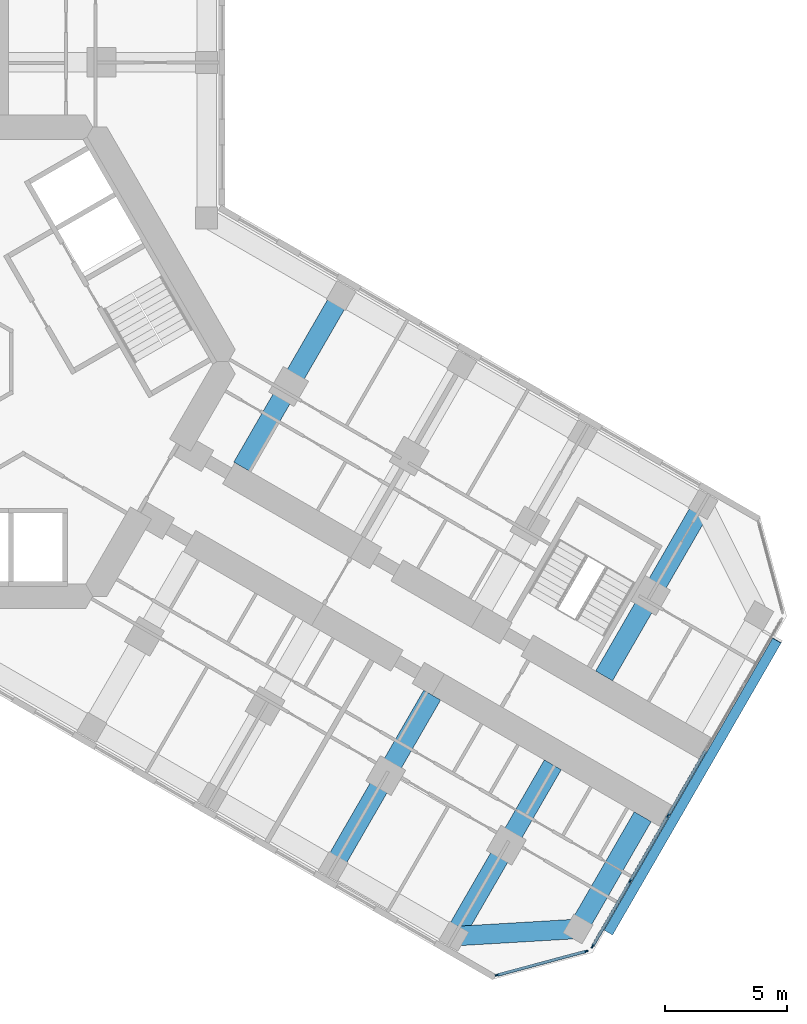
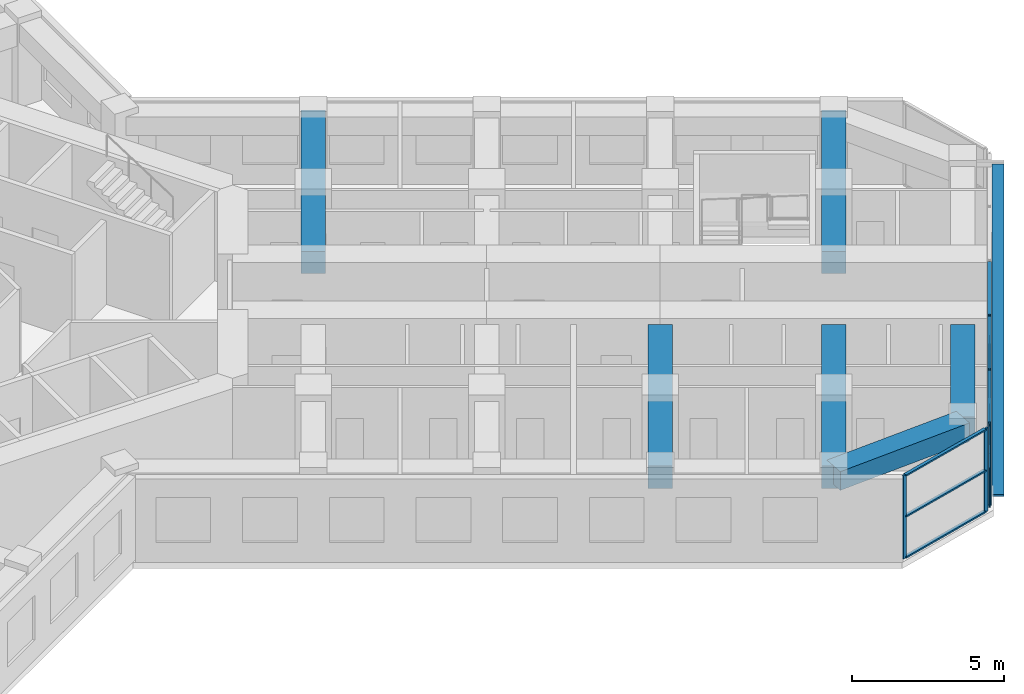
# One storey, part 5 of 21: 15 members, 6 beams, 2 elements without a shape of their own.
"""IFC4 building model written with IfcOpenShell, lengths in metres."""

from ifc_helpers import new_model, si_unit, direction, frame, origin, origin_2d, place, context, subcontext, project, spatial, rectangle, extrude, material, material_profile, profile_set, type_object, element, aggregate, save


model = new_model("IFC4")

# Units and contexts
model_context = context("Model", 3, precision=1e-05, world=origin(), true_north=direction((0.0, 1.0)))
body_context = subcontext(model_context, "Body", "Model", "MODEL_VIEW")
ifc_project = project(units=[si_unit("LENGTHUNIT", "METRE"), si_unit("AREAUNIT", "SQUARE_METRE"), si_unit("VOLUMEUNIT", "CUBIC_METRE"), si_unit("PLANEANGLEUNIT", "RADIAN"), si_unit("MASSUNIT", "GRAM", prefix="KILO")], contexts=[model_context])

# Site, building, storey
site_placement = place(None, origin())
site = spatial("IfcSite", under=ifc_project, at=site_placement, CompositionType="ELEMENT")
building_placement = place(site_placement, origin())
building = spatial("IfcBuilding", under=site, at=building_placement, Name="Kosmar Iwan School Tower", CompositionType="ELEMENT")
storey_placement = place(building_placement, frame((0.0, 0.0, 98.800048828125)))
storey = spatial("IfcBuildingStorey", under=building, at=storey_placement, Name="L24", CompositionType="ELEMENT", Elevation=98.800048828125)

# Member
ifc_material_1 = material(Name="Black anodised aluminium", Category="aluminium")
ifc_material_profile_1 = material_profile(ifc_material_1, rectangle(XDim=0.10009765625, YDim=0.39990234375, at=origin_2d()), Name="FIN 100x400")
ifc_profile_set_1 = profile_set([ifc_material_profile_1], Name="Black anodised aluminium")
member_type_1 = type_object("IfcMemberType", Name="Diagonal fin 100x400", PredefinedType="USERDEFINED", material=ifc_profile_set_1)
member_1_placement = place(storey_placement, frame((26.645263671875, -23.34912109375, -0.150146484375), z_axis=(0.483793446988, 0.837970316603, 0.25248692866), x_axis=(-0.126241714543, -0.218661104574, 0.96760030532)))
element("IfcMember", 1, at=member_1_placement, inside=storey, type_object=member_type_1, Name="Diagonal fin L24-F03", ObjectType="FIN", PredefinedType="USERDEFINED", context=body_context, shape_type="SweptSolid", body=[
    extrude(rectangle(XDim=0.10009765625, YDim=0.39990234375, at=origin_2d()), origin(), (0.0, 0.0, 1.0), 14.258544921875),
])

# Curtain wall, members
ifc_material_2 = material(Name="Dark glass in black aluminium frame", Category="aluminium")
curtain_wall_type_1 = type_object("IfcCurtainWallType", Name="Chamfer curtain wall dark glass", PredefinedType="USERDEFINED", material=ifc_material_2)
curtain_wall_1_placement = place(storey_placement, origin())
curtain_wall_1 = element("IfcCurtainWall", 2, at=curtain_wall_1_placement, inside=storey, type_object=curtain_wall_type_1, Name="Curtain wall L24-F02", ObjectType="FACETED CURTAIN WALL", PredefinedType="USERDEFINED")
ifc_material_3 = material(Name="Black anodised aluminium", Category="aluminium")
ifc_material_profile_2 = material_profile(ifc_material_3, rectangle(XDim=0.06005859375, YDim=0.159912109375, at=origin_2d()), Name="MULLION 60x160")
ifc_profile_set_2 = profile_set([ifc_material_profile_2], Name="Black anodised aluminium")
member_type_2 = type_object("IfcMemberType", Name="Mullion 60x160", PredefinedType="MULLION", material=ifc_profile_set_2)
member_2_placement = place(storey_placement, frame((22.0830078125, -25.102294921875, 0.0), z_axis=(0.0, 0.0, 1.0), x_axis=(-0.258818861462, 0.965925875495, 0.0)))
member_2 = element("IfcMember", 3, at=member_2_placement, type_object=member_type_2, Name="CW2 mullion 1", PredefinedType="MULLION", context=body_context, shape_type="SweptSolid", body=[
    extrude(rectangle(XDim=0.06005859375, YDim=0.159912109375, at=origin_2d()), origin(), (0.0, 0.0, 1.0), 3.349853515625),
])
member_3_placement = place(storey_placement, frame((25.733154296875, -24.124267578125, 0.0), z_axis=(0.0, 0.0, 1.0), x_axis=(-0.258818861462, 0.965925875495, 0.0)))
member_3 = element("IfcMember", 4, at=member_3_placement, type_object=member_type_2, Name="CW2 mullion 2", PredefinedType="MULLION", context=body_context, shape_type="SweptSolid", body=[
    extrude(rectangle(XDim=0.06005859375, YDim=0.159912109375, at=origin_2d()), origin(), (0.0, 0.0, 1.0), 3.349853515625),
])

ifc_material_4 = material(Name="Dark glass in black aluminium frame", Category="aluminium")
curtain_wall_type_2 = type_object("IfcCurtainWallType", Name="Tower curtain wall dark glass", PredefinedType="USERDEFINED", material=ifc_material_4)
curtain_wall_2_placement = place(storey_placement, origin())
curtain_wall_2 = element("IfcCurtainWall", 5, at=curtain_wall_2_placement, inside=storey, type_object=curtain_wall_type_2, Name="Curtain wall L24-F03", ObjectType="UNITISED CURTAIN WALL", PredefinedType="USERDEFINED")
member_4_placement = place(storey_placement, frame((25.9970703125, -23.921630859375, 0.0), z_axis=(0.0, 0.0, 1.0), x_axis=(-0.866025405329, 0.499999997325, 0.0)))
member_4 = element("IfcMember", 6, at=member_4_placement, type_object=member_type_2, Name="CW1 mullion 1", PredefinedType="MULLION", context=body_context, shape_type="SweptSolid", body=[
    extrude(rectangle(XDim=0.06005859375, YDim=0.159912109375, at=origin_2d()), origin(), (0.0, 0.0, 1.0), 3.349853515625),
])
member_5_placement = place(storey_placement, frame((27.53173828125, -21.263671875, 0.0), z_axis=(0.0, 0.0, 1.0), x_axis=(-0.866025405329, 0.499999997325, 0.0)))
member_5 = element("IfcMember", 7, at=member_5_placement, type_object=member_type_2, Name="CW1 mullion 2", PredefinedType="MULLION", context=body_context, shape_type="SweptSolid", body=[
    extrude(rectangle(XDim=0.06005859375, YDim=0.159912109375, at=origin_2d()), origin(), (0.0, 0.0, 1.0), 3.349853515625),
])
member_6_placement = place(storey_placement, frame((29.081298828125, -18.57958984375, 0.0), z_axis=(0.0, 0.0, 1.0), x_axis=(-0.866025405329, 0.499999997325, 0.0)))
member_6 = element("IfcMember", 8, at=member_6_placement, type_object=member_type_2, Name="CW1 mullion 3", PredefinedType="MULLION", context=body_context, shape_type="SweptSolid", body=[
    extrude(rectangle(XDim=0.06005859375, YDim=0.159912109375, at=origin_2d()), origin(), (0.0, 0.0, 1.0), 3.349853515625),
])

# Beams
ifc_material_5 = material(Name="Concrete C50/60", Category="concrete")
ifc_material_profile_3 = material_profile(ifc_material_5, rectangle(XDim=0.800048828125, YDim=0.75, at=origin_2d()), Name="RC 800x750")
ifc_profile_set_3 = profile_set([ifc_material_profile_3], Name="Concrete C50/60")
beam_type_1 = type_object("IfcBeamType", Name="RC tip beam 800x750", PredefinedType="BEAM", material=ifc_profile_set_3)
beam_1_placement = place(storey_placement, frame((20.31787109375, -23.508544921875, 2.974853515625), z_axis=(0.998260616478, 0.058955420358, 0.0), x_axis=(-0.058955420358, 0.998260616478, 0.0)))
element("IfcBeam", 9, at=beam_1_placement, inside=storey, type_object=beam_type_1, Name="Tip beam CR", PredefinedType="BEAM", context=body_context, shape_type="SweptSolid", body=[
    extrude(rectangle(XDim=0.800048828125, YDim=0.75, at=origin_2d()), origin(), (0.0, 0.0, 1.0), 5.08935546875),
])
beam_2_placement = place(storey_placement, frame((25.3984375, -23.20849609375, 2.974853515625), z_axis=(0.499993606316, 0.866029095148, 0.0), x_axis=(-0.866029095148, 0.499993606316, 0.0)))
element("IfcBeam", 10, at=beam_2_placement, inside=storey, type_object=beam_type_1, Name="Tip beam CR to corridor wall", PredefinedType="BEAM", context=body_context, shape_type="SweptSolid", body=[
    extrude(rectangle(XDim=0.800048828125, YDim=0.75, at=origin_2d()), origin(), (0.0, 0.0, 1.0), 5.2998046875),
])
ifc_material_6 = material(Name="Concrete C50/60", Category="concrete")
ifc_material_profile_4 = material_profile(ifc_material_6, rectangle(XDim=0.800048828125, YDim=0.89990234375, at=origin_2d()), Name="RC 800x900")
ifc_profile_set_4 = profile_set([ifc_material_profile_4], Name="Concrete C50/60")
beam_type_2 = type_object("IfcBeamType", Name="RC transverse beam 800x900", PredefinedType="BEAM", material=ifc_profile_set_4)
for number, where, z_axis, x_axis, name in (
    (11, (15.708740234375, 2.70849609375, 2.89990234375), (-0.499999880539, -0.866025472755, 0.0), (0.866025472755, -0.499999880539, 0.0), "Transverse beam CL1"),
    (12, (30.517822265625, -5.841552734375, 2.89990234375), (-0.499999880539, -0.866025472755, 0.0), (0.866025472755, -0.499999880539, 0.0), "Transverse beam CL4"),
    (13, (15.381591796875, -20.658447265625, 2.89990234375), (0.499977274689, 0.866038523851, 0.0), (-0.866038523851, 0.499977274689, 0.0), "Transverse beam CR3"),
    (14, (20.31787109375, -23.508544921875, 2.89990234375), (0.499999880539, 0.866025472755, 0.0), (-0.866025472755, 0.499999880539, 0.0), "Transverse beam CR4"),
):
    element("IfcBeam", number, at=place(storey_placement, frame(where, z_axis=z_axis, x_axis=x_axis)), inside=storey, type_object=beam_type_2, Name=name, PredefinedType="BEAM", context=body_context, shape_type="SweptSolid", body=[
        extrude(rectangle(XDim=0.800048828125, YDim=0.89990234375, at=origin_2d()), origin(), (0.0, 0.0, 1.0), 8.10009765625),
    ])

# Member
ifc_material_7 = material(Name="Black anodised aluminium", Category="aluminium")
ifc_material_profile_5 = material_profile(ifc_material_7, rectangle(XDim=0.1201171875, YDim=0.06005859375, at=origin_2d()), Name="TRANSOM 60x120")
ifc_profile_set_5 = profile_set([ifc_material_profile_5], Name="Black anodised aluminium")
member_type_3 = type_object("IfcMemberType", Name="Transom 60x120", PredefinedType="USERDEFINED", material=ifc_profile_set_5)
member_7_placement = place(storey_placement, frame((22.11181640625, -25.094482421875, 0.030029296875), z_axis=(0.965923731726, 0.258826861991, 0.0), x_axis=(-0.258826861991, 0.965923731726, 0.0)))
member_7 = element("IfcMember", 15, at=member_7_placement, type_object=member_type_3, Name="CW2 transom 1.1", ObjectType="TRANSOM", PredefinedType="USERDEFINED", context=body_context, shape_type="SweptSolid", body=[
    extrude(rectangle(XDim=0.1201171875, YDim=0.06005859375, at=origin_2d()), origin(), (0.0, 0.0, 1.0), 3.71923828125),
])

member_8_placement = place(storey_placement, frame((22.11181640625, -25.094482421875, 1.675048828125), z_axis=(0.965923731726, 0.258826861991, 0.0), x_axis=(-0.258826861991, 0.965923731726, 0.0)))
member_8 = element("IfcMember", 16, at=member_8_placement, type_object=member_type_3, Name="CW2 transom 1.2", ObjectType="TRANSOM", PredefinedType="USERDEFINED", context=body_context, shape_type="SweptSolid", body=[
    extrude(rectangle(XDim=0.1201171875, YDim=0.06005859375, at=origin_2d()), origin(), (0.0, 0.0, 1.0), 3.71923828125),
])

member_9_placement = place(storey_placement, frame((22.11181640625, -25.094482421875, 3.320068359375), z_axis=(0.965923731726, 0.258826861991, 0.0), x_axis=(-0.258826861991, 0.965923731726, 0.0)))
member_9 = element("IfcMember", 17, at=member_9_placement, type_object=member_type_3, Name="CW2 transom 1.3", ObjectType="TRANSOM", PredefinedType="USERDEFINED", context=body_context, shape_type="SweptSolid", body=[
    extrude(rectangle(XDim=0.1201171875, YDim=0.06005859375, at=origin_2d()), origin(), (0.0, 0.0, 1.0), 3.71923828125),
])

aggregate(curtain_wall_1, [member_2, member_3, member_7, member_8, member_9])

member_10_placement = place(storey_placement, frame((26.01220703125, -23.895751953125, 0.030029296875), z_axis=(0.499986971506, 0.866032925658, 0.0), x_axis=(-0.866032925658, 0.499986971506, 0.0)))
member_10 = element("IfcMember", 18, at=member_10_placement, type_object=member_type_3, Name="CW1 transom 1.1", ObjectType="TRANSOM", PredefinedType="USERDEFINED", context=body_context, shape_type="SweptSolid", body=[
    extrude(rectangle(XDim=0.1201171875, YDim=0.06005859375, at=origin_2d()), origin(), (0.0, 0.0, 1.0), 3.00927734375),
])

member_11_placement = place(storey_placement, frame((26.01220703125, -23.895751953125, 3.320068359375), z_axis=(0.499986971506, 0.866032925658, 0.0), x_axis=(-0.866032925658, 0.499986971506, 0.0)))
member_11 = element("IfcMember", 19, at=member_11_placement, type_object=member_type_3, Name="CW1 transom 1.2", ObjectType="TRANSOM", PredefinedType="USERDEFINED", context=body_context, shape_type="SweptSolid", body=[
    extrude(rectangle(XDim=0.1201171875, YDim=0.06005859375, at=origin_2d()), origin(), (0.0, 0.0, 1.0), 3.00927734375),
])

member_12_placement = place(storey_placement, frame((27.546875, -21.237548828125, 0.030029296875), z_axis=(0.499975102327, 0.866039777986, 0.0), x_axis=(-0.866039777986, 0.499975102327, 0.0)))
member_12 = element("IfcMember", 20, at=member_12_placement, type_object=member_type_3, Name="CW1 transom 2.1", ObjectType="TRANSOM", PredefinedType="USERDEFINED", context=body_context, shape_type="SweptSolid", body=[
    extrude(rectangle(XDim=0.1201171875, YDim=0.06005859375, at=origin_2d()), origin(), (0.0, 0.0, 1.0), 3.039306640625),
])

member_13_placement = place(storey_placement, frame((27.546875, -21.237548828125, 3.320068359375), z_axis=(0.499975102327, 0.866039777986, 0.0), x_axis=(-0.866039777986, 0.499975102327, 0.0)))
member_13 = element("IfcMember", 21, at=member_13_placement, type_object=member_type_3, Name="CW1 transom 2.2", ObjectType="TRANSOM", PredefinedType="USERDEFINED", context=body_context, shape_type="SweptSolid", body=[
    extrude(rectangle(XDim=0.1201171875, YDim=0.06005859375, at=origin_2d()), origin(), (0.0, 0.0, 1.0), 3.039306640625),
])

member_14_placement = place(storey_placement, frame((29.096435546875, -18.553466796875, 0.030029296875), z_axis=(0.499975102327, 0.866039777986, 0.0), x_axis=(-0.866039777986, 0.499975102327, 0.0)))
member_14 = element("IfcMember", 22, at=member_14_placement, type_object=member_type_3, Name="CW1 transom 3.1", ObjectType="TRANSOM", PredefinedType="USERDEFINED", context=body_context, shape_type="SweptSolid", body=[
    extrude(rectangle(XDim=0.1201171875, YDim=0.06005859375, at=origin_2d()), origin(), (0.0, 0.0, 1.0), 3.039306640625),
])

member_15_placement = place(storey_placement, frame((29.096435546875, -18.553466796875, 3.320068359375), z_axis=(0.499975102327, 0.866039777986, 0.0), x_axis=(-0.866039777986, 0.499975102327, 0.0)))
member_15 = element("IfcMember", 23, at=member_15_placement, type_object=member_type_3, Name="CW1 transom 3.2", ObjectType="TRANSOM", PredefinedType="USERDEFINED", context=body_context, shape_type="SweptSolid", body=[
    extrude(rectangle(XDim=0.1201171875, YDim=0.06005859375, at=origin_2d()), origin(), (0.0, 0.0, 1.0), 3.039306640625),
])

aggregate(curtain_wall_2, [member_4, member_5, member_6, member_10, member_11, member_12, member_13, member_14, member_15])

save(model, "model.ifc")
